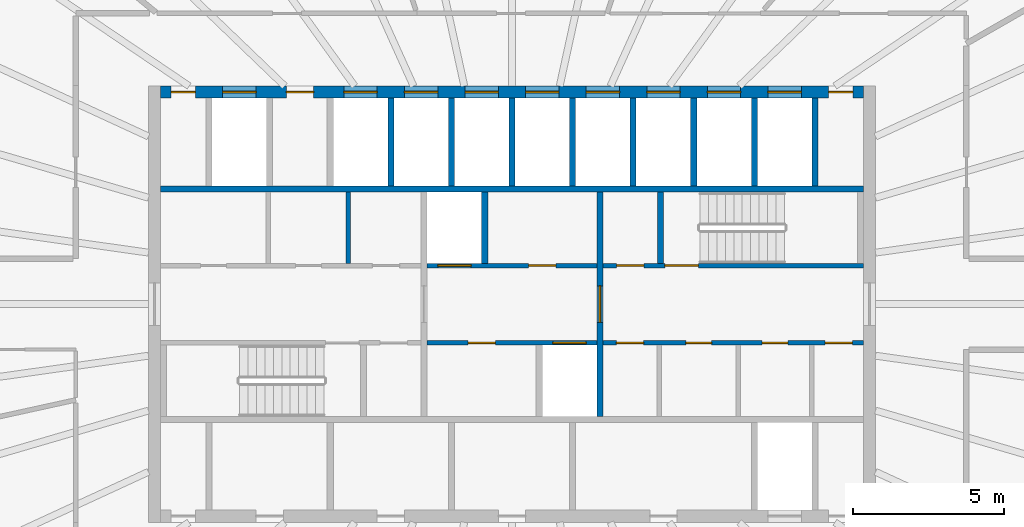
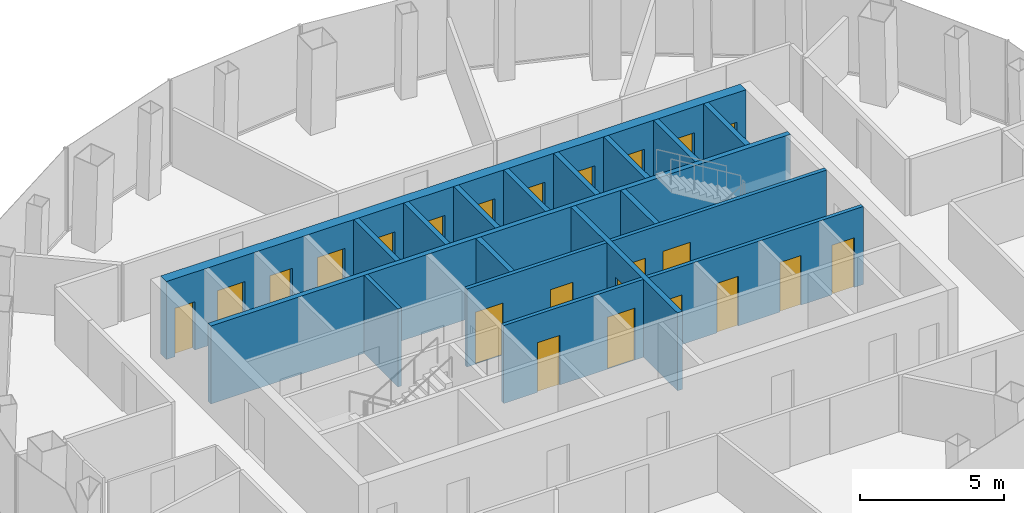
# One storey, part 10 of 12: 23 doors, 18 walls, 23 openings.
"""IFC4 building model written with IfcOpenShell, lengths in metres."""

from ifc_helpers import new_model, si_unit, direction, frame, frame_2d, origin, place, context, subcontext, project, spatial, rectangle, extrude, material, layer, layer_set, type_object, element, fill, save


model = new_model("IFC4")

# Units and contexts
model_context = context("Model", 3, precision=1e-05, world=origin(), true_north=direction((0.0, 1.0)))
body_context = subcontext(model_context, "Body", "Model", "MODEL_VIEW")
ifc_project = project(units=[si_unit("LENGTHUNIT", "METRE"), si_unit("AREAUNIT", "SQUARE_METRE"), si_unit("VOLUMEUNIT", "CUBIC_METRE"), si_unit("PLANEANGLEUNIT", "RADIAN"), si_unit("MASSUNIT", "GRAM", prefix="KILO")], contexts=[model_context])

# Site, building, storey
site_placement = place(None, origin())
site = spatial("IfcSite", under=ifc_project, at=site_placement, CompositionType="ELEMENT")
building_placement = place(site_placement, origin())
building = spatial("IfcBuilding", under=site, at=building_placement, Name="Siaravel Broadcast Tower", CompositionType="ELEMENT")
storey_placement = place(building_placement, frame((0.0, 0.0, 231.89990234375)))
storey = spatial("IfcBuildingStorey", under=building, at=storey_placement, Name="L56", CompositionType="ELEMENT", Elevation=231.89990234375)

# Wall
ifc_material_1 = material(Name="Concrete blockwork", Category="masonry")
ifc_layer_1 = layer(ifc_material_1, 0.14990234375)
ifc_layer_set_1 = layer_set([ifc_layer_1], Name="Concrete blockwork")
wall_type_1 = type_object("IfcWallType", Name="Core partition 150", PredefinedType="PARTITIONING", material=ifc_layer_set_1)
wall_1_placement = place(storey_placement, frame((-5.39892578125, 1.35009765625, 0.0), z_axis=(0.0, 0.0, 1.0), x_axis=(0.0, 1.0, 0.0)))
element("IfcWall", 1, at=wall_1_placement, inside=storey, type_object=wall_type_1, Name="L56 core partition PNW1", PredefinedType="PARTITIONING", context=body_context, shape_type="SweptSolid", body=[
    extrude(rectangle(XDim=2.349853515625, YDim=0.14990234375, at=frame_2d((1.1748046875, 0.0))), origin(), (0.0, 0.0, 1.0), 3.300048828125),
])

# Wall, openings, doors
ifc_material_2 = material(Name="Concrete C60/75", Category="concrete")
ifc_layer_2 = layer(ifc_material_2, 0.39990234375)
ifc_layer_set_2 = layer_set([ifc_layer_2], Name="Concrete C60/75")
wall_type_2 = type_object("IfcWallType", Name="Core wall 400", PredefinedType="SHEAR", material=ifc_layer_set_2)
wall_2_placement = place(storey_placement, frame((-11.60009765625, 7.0, 0.0), z_axis=(0.0, 0.0, 1.0), x_axis=(1.0, 0.0, 0.0)))
wall_2 = element("IfcWall", 2, at=wall_2_placement, inside=storey, type_object=wall_type_2, Name="L56 core wall ON", PredefinedType="SHEAR", context=body_context, shape_type="SweptSolid", body=[
    extrude(rectangle(XDim=23.2001953125, YDim=0.39990234375, at=frame_2d((11.60009765625, 0.0))), origin(), (0.0, 0.0, 1.0), 3.300048828125),
])
opening_1_placement = place(wall_2_placement, frame((2.050048828125, 0.0, 0.0)))
opening_1 = element("IfcOpeningElement", 3, at=opening_1_placement, cuts=wall_2, Name="Opening LD-SV2-L56", PredefinedType="OPENING", context=body_context, shape_type="SweptSolid", body=[
    extrude(rectangle(XDim=1.10009765625, YDim=2.199951171875, at=frame_2d((0.550048828125, 1.10009765625))), frame((0.0, 0.2099609375, 0.0), z_axis=(0.0, -1.0, 0.0), x_axis=(1.0, 0.0, 0.0)), (0.0, 0.0, 1.0), 0.419921875),
])
opening_2_placement = place(wall_2_placement, frame((6.050048828125, 0.0, 0.0)))
opening_2 = element("IfcOpeningElement", 4, at=opening_2_placement, cuts=wall_2, Name="Opening LD-HP1-L56", PredefinedType="OPENING", context=body_context, shape_type="SweptSolid", body=[
    extrude(rectangle(XDim=1.10009765625, YDim=2.199951171875, at=frame_2d((0.550048828125, 1.10009765625))), frame((0.0, 0.2099609375, 0.0), z_axis=(0.0, -1.0, 0.0), x_axis=(1.0, 0.0, 0.0)), (0.0, 0.0, 1.0), 0.419921875),
])
opening_3_placement = place(wall_2_placement, frame((8.050048828125, 0.0, 0.0)))
opening_3 = element("IfcOpeningElement", 5, at=opening_3_placement, cuts=wall_2, Name="Opening LD-HP2-L56", PredefinedType="OPENING", context=body_context, shape_type="SweptSolid", body=[
    extrude(rectangle(XDim=1.10009765625, YDim=2.199951171875, at=frame_2d((0.550048828125, 1.10009765625))), frame((0.0, 0.2099609375, 0.0), z_axis=(0.0, -1.0, 0.0), x_axis=(1.0, 0.0, 0.0)), (0.0, 0.0, 1.0), 0.419921875),
])
opening_4_placement = place(wall_2_placement, frame((10.050048828125, 0.0, 0.0)))
opening_4 = element("IfcOpeningElement", 6, at=opening_4_placement, cuts=wall_2, Name="Opening LD-HP3-L56", PredefinedType="OPENING", context=body_context, shape_type="SweptSolid", body=[
    extrude(rectangle(XDim=1.10009765625, YDim=2.199951171875, at=frame_2d((0.550048828125, 1.10009765625))), frame((0.0, 0.2099609375, 0.0), z_axis=(0.0, -1.0, 0.0), x_axis=(1.0, 0.0, 0.0)), (0.0, 0.0, 1.0), 0.419921875),
])
opening_5_placement = place(wall_2_placement, frame((12.050048828125, 0.0, 0.0)))
opening_5 = element("IfcOpeningElement", 7, at=opening_5_placement, cuts=wall_2, Name="Opening LD-HP4-L56", PredefinedType="OPENING", context=body_context, shape_type="SweptSolid", body=[
    extrude(rectangle(XDim=1.10009765625, YDim=2.199951171875, at=frame_2d((0.550048828125, 1.10009765625))), frame((0.0, 0.2099609375, 0.0), z_axis=(0.0, -1.0, 0.0), x_axis=(1.0, 0.0, 0.0)), (0.0, 0.0, 1.0), 0.419921875),
])
opening_6_placement = place(wall_2_placement, frame((14.050048828125, 0.0, 0.0)))
opening_6 = element("IfcOpeningElement", 8, at=opening_6_placement, cuts=wall_2, Name="Opening LD-HP5-L56", PredefinedType="OPENING", context=body_context, shape_type="SweptSolid", body=[
    extrude(rectangle(XDim=1.10009765625, YDim=2.199951171875, at=frame_2d((0.550048828125, 1.10009765625))), frame((0.0, 0.2099609375, 0.0), z_axis=(0.0, -1.0, 0.0), x_axis=(1.0, 0.0, 0.0)), (0.0, 0.0, 1.0), 0.419921875),
])
opening_7_placement = place(wall_2_placement, frame((16.050048828125, 0.0, 0.0)))
opening_7 = element("IfcOpeningElement", 9, at=opening_7_placement, cuts=wall_2, Name="Opening LD-HP6-L56", PredefinedType="OPENING", context=body_context, shape_type="SweptSolid", body=[
    extrude(rectangle(XDim=1.10009765625, YDim=2.199951171875, at=frame_2d((0.550048828125, 1.10009765625))), frame((0.0, 0.2099609375, 0.0), z_axis=(0.0, -1.0, 0.0), x_axis=(1.0, 0.0, 0.0)), (0.0, 0.0, 1.0), 0.419921875),
])
opening_8_placement = place(wall_2_placement, frame((18.050048828125, 0.0, 0.0)))
opening_8 = element("IfcOpeningElement", 10, at=opening_8_placement, cuts=wall_2, Name="Opening LD-HP7-L56", PredefinedType="OPENING", context=body_context, shape_type="SweptSolid", body=[
    extrude(rectangle(XDim=1.10009765625, YDim=2.199951171875, at=frame_2d((0.550048828125, 1.10009765625))), frame((0.0, 0.2099609375, 0.0), z_axis=(0.0, -1.0, 0.0), x_axis=(1.0, 0.0, 0.0)), (0.0, 0.0, 1.0), 0.419921875),
])
opening_9_placement = place(wall_2_placement, frame((20.050048828125, 0.0, 0.0)))
opening_9 = element("IfcOpeningElement", 11, at=opening_9_placement, cuts=wall_2, Name="Opening LD-HP8-L56", PredefinedType="OPENING", context=body_context, shape_type="SweptSolid", body=[
    extrude(rectangle(XDim=1.10009765625, YDim=2.199951171875, at=frame_2d((0.550048828125, 1.10009765625))), frame((0.0, 0.2099609375, 0.0), z_axis=(0.0, -1.0, 0.0), x_axis=(1.0, 0.0, 0.0)), (0.0, 0.0, 1.0), 0.419921875),
])
opening_10_placement = place(wall_2_placement, frame((4.14990234375, 0.0, 0.0)))
opening_10 = element("IfcOpeningElement", 12, at=opening_10_placement, cuts=wall_2, Name="Opening L56-DFN1", PredefinedType="OPENING", context=body_context, shape_type="SweptSolid", body=[
    extrude(rectangle(XDim=0.89990234375, YDim=2.10009765625, at=frame_2d((0.449951171875, 1.050048828125))), frame((0.0, 0.2099609375, 0.0), z_axis=(0.0, -1.0, 0.0), x_axis=(1.0, 0.0, 0.0)), (0.0, 0.0, 1.0), 0.419921875),
])
opening_11_placement = place(wall_2_placement, frame((0.35009765625, 0.0, 0.0)))
opening_11 = element("IfcOpeningElement", 13, at=opening_11_placement, cuts=wall_2, Name="Opening L56-DRNW", PredefinedType="OPENING", context=body_context, shape_type="SweptSolid", body=[
    extrude(rectangle(XDim=0.800048828125, YDim=2.050048828125, at=frame_2d((0.39990234375, 1.02490234375))), frame((0.0, 0.2099609375, 0.0), z_axis=(0.0, -1.0, 0.0), x_axis=(1.0, 0.0, 0.0)), (0.0, 0.0, 1.0), 0.419921875),
])
opening_12_placement = place(wall_2_placement, frame((22.050048828125, 0.0, 0.0)))
opening_12 = element("IfcOpeningElement", 14, at=opening_12_placement, cuts=wall_2, Name="Opening L56-DRNE", PredefinedType="OPENING", context=body_context, shape_type="SweptSolid", body=[
    extrude(rectangle(XDim=0.800048828125, YDim=2.050048828125, at=frame_2d((0.39990234375, 1.02490234375))), frame((0.0, 0.2099609375, 0.0), z_axis=(0.0, -1.0, 0.0), x_axis=(1.0, 0.0, 0.0)), (0.0, 0.0, 1.0), 0.419921875),
])
ifc_material_3 = material(Name="Timber veneer", Category="wood")
door_type_1 = type_object("IfcDoorType", Name="Core room door 900", OperationType="SINGLE_SWING_LEFT", PredefinedType="DOOR", material=ifc_material_3)
door_1_placement = place(opening_10_placement, origin())
door_1 = element("IfcDoor", 15, at=door_1_placement, inside=storey, type_object=door_type_1, Name="L56 door DFN1", OperationType="SINGLE_SWING_LEFT", OverallHeight=2.10009765625, OverallWidth=0.89990234375, PredefinedType="DOOR", context=body_context, shape_type="SweptSolid", body=[
    extrude(rectangle(XDim=0.89990234375, YDim=2.10009765625, at=frame_2d((0.449951171875, 1.050048828125))), frame((0.0, 0.02490234375, 0.0), z_axis=(0.0, -1.0, 0.0), x_axis=(1.0, 0.0, 0.0)), (0.0, 0.0, 1.0), 0.050048828125),
])
fill(opening_10, door_1)
ifc_material_4 = material(Name="Stainless steel 316L", Category="steel")
door_type_2 = type_object("IfcDoorType", Name="Lift landing door 1100", OperationType="DOUBLE_DOOR_SLIDING", PredefinedType="DOOR", material=ifc_material_4)
door_2_placement = place(opening_2_placement, origin())
door_2 = element("IfcDoor", 16, at=door_2_placement, inside=storey, type_object=door_type_2, Name="Landing door HP1 L56", OperationType="DOUBLE_DOOR_SLIDING", OverallHeight=2.199951171875, OverallWidth=1.10009765625, PredefinedType="DOOR", context=body_context, shape_type="SweptSolid", body=[
    extrude(rectangle(XDim=1.10009765625, YDim=2.199951171875, at=frame_2d((0.550048828125, 1.10009765625))), frame((0.0, 0.02490234375, 0.0), z_axis=(0.0, -1.0, 0.0), x_axis=(1.0, 0.0, 0.0)), (0.0, 0.0, 1.0), 0.050048828125),
])
fill(opening_2, door_2)
door_3_placement = place(opening_3_placement, origin())
door_3 = element("IfcDoor", 17, at=door_3_placement, inside=storey, type_object=door_type_2, Name="Landing door HP2 L56", OperationType="DOUBLE_DOOR_SLIDING", OverallHeight=2.199951171875, OverallWidth=1.10009765625, PredefinedType="DOOR", context=body_context, shape_type="SweptSolid", body=[
    extrude(rectangle(XDim=1.10009765625, YDim=2.199951171875, at=frame_2d((0.550048828125, 1.10009765625))), frame((0.0, 0.02490234375, 0.0), z_axis=(0.0, -1.0, 0.0), x_axis=(1.0, 0.0, 0.0)), (0.0, 0.0, 1.0), 0.050048828125),
])
fill(opening_3, door_3)
door_4_placement = place(opening_4_placement, origin())
door_4 = element("IfcDoor", 18, at=door_4_placement, inside=storey, type_object=door_type_2, Name="Landing door HP3 L56", OperationType="DOUBLE_DOOR_SLIDING", OverallHeight=2.199951171875, OverallWidth=1.10009765625, PredefinedType="DOOR", context=body_context, shape_type="SweptSolid", body=[
    extrude(rectangle(XDim=1.10009765625, YDim=2.199951171875, at=frame_2d((0.550048828125, 1.10009765625))), frame((0.0, 0.02490234375, 0.0), z_axis=(0.0, -1.0, 0.0), x_axis=(1.0, 0.0, 0.0)), (0.0, 0.0, 1.0), 0.050048828125),
])
fill(opening_4, door_4)
door_5_placement = place(opening_5_placement, origin())
door_5 = element("IfcDoor", 19, at=door_5_placement, inside=storey, type_object=door_type_2, Name="Landing door HP4 L56", OperationType="DOUBLE_DOOR_SLIDING", OverallHeight=2.199951171875, OverallWidth=1.10009765625, PredefinedType="DOOR", context=body_context, shape_type="SweptSolid", body=[
    extrude(rectangle(XDim=1.10009765625, YDim=2.199951171875, at=frame_2d((0.550048828125, 1.10009765625))), frame((0.0, 0.02490234375, 0.0), z_axis=(0.0, -1.0, 0.0), x_axis=(1.0, 0.0, 0.0)), (0.0, 0.0, 1.0), 0.050048828125),
])
fill(opening_5, door_5)
door_6_placement = place(opening_6_placement, origin())
door_6 = element("IfcDoor", 20, at=door_6_placement, inside=storey, type_object=door_type_2, Name="Landing door HP5 L56", OperationType="DOUBLE_DOOR_SLIDING", OverallHeight=2.199951171875, OverallWidth=1.10009765625, PredefinedType="DOOR", context=body_context, shape_type="SweptSolid", body=[
    extrude(rectangle(XDim=1.10009765625, YDim=2.199951171875, at=frame_2d((0.550048828125, 1.10009765625))), frame((0.0, 0.02490234375, 0.0), z_axis=(0.0, -1.0, 0.0), x_axis=(1.0, 0.0, 0.0)), (0.0, 0.0, 1.0), 0.050048828125),
])
fill(opening_6, door_6)
door_7_placement = place(opening_7_placement, origin())
door_7 = element("IfcDoor", 21, at=door_7_placement, inside=storey, type_object=door_type_2, Name="Landing door HP6 L56", OperationType="DOUBLE_DOOR_SLIDING", OverallHeight=2.199951171875, OverallWidth=1.10009765625, PredefinedType="DOOR", context=body_context, shape_type="SweptSolid", body=[
    extrude(rectangle(XDim=1.10009765625, YDim=2.199951171875, at=frame_2d((0.550048828125, 1.10009765625))), frame((0.0, 0.02490234375, 0.0), z_axis=(0.0, -1.0, 0.0), x_axis=(1.0, 0.0, 0.0)), (0.0, 0.0, 1.0), 0.050048828125),
])
fill(opening_7, door_7)
door_8_placement = place(opening_8_placement, origin())
door_8 = element("IfcDoor", 22, at=door_8_placement, inside=storey, type_object=door_type_2, Name="Landing door HP7 L56", OperationType="DOUBLE_DOOR_SLIDING", OverallHeight=2.199951171875, OverallWidth=1.10009765625, PredefinedType="DOOR", context=body_context, shape_type="SweptSolid", body=[
    extrude(rectangle(XDim=1.10009765625, YDim=2.199951171875, at=frame_2d((0.550048828125, 1.10009765625))), frame((0.0, 0.02490234375, 0.0), z_axis=(0.0, -1.0, 0.0), x_axis=(1.0, 0.0, 0.0)), (0.0, 0.0, 1.0), 0.050048828125),
])
fill(opening_8, door_8)
door_9_placement = place(opening_9_placement, origin())
door_9 = element("IfcDoor", 23, at=door_9_placement, inside=storey, type_object=door_type_2, Name="Landing door HP8 L56", OperationType="DOUBLE_DOOR_SLIDING", OverallHeight=2.199951171875, OverallWidth=1.10009765625, PredefinedType="DOOR", context=body_context, shape_type="SweptSolid", body=[
    extrude(rectangle(XDim=1.10009765625, YDim=2.199951171875, at=frame_2d((0.550048828125, 1.10009765625))), frame((0.0, 0.02490234375, 0.0), z_axis=(0.0, -1.0, 0.0), x_axis=(1.0, 0.0, 0.0)), (0.0, 0.0, 1.0), 0.050048828125),
])
fill(opening_9, door_9)
ifc_material_5 = material(Name="Steel", Category="steel")
door_type_3 = type_object("IfcDoorType", Name="Riser door 800", OperationType="SINGLE_SWING_LEFT", PredefinedType="DOOR", material=ifc_material_5)
door_10_placement = place(opening_11_placement, origin())
door_10 = element("IfcDoor", 24, at=door_10_placement, inside=storey, type_object=door_type_3, Name="L56 door DRNW", OperationType="SINGLE_SWING_LEFT", OverallHeight=2.050048828125, OverallWidth=0.800048828125, PredefinedType="DOOR", context=body_context, shape_type="SweptSolid", body=[
    extrude(rectangle(XDim=0.800048828125, YDim=2.050048828125, at=frame_2d((0.39990234375, 1.02490234375))), frame((0.0, 0.02490234375, 0.0), z_axis=(0.0, -1.0, 0.0), x_axis=(1.0, 0.0, 0.0)), (0.0, 0.0, 1.0), 0.050048828125),
])
fill(opening_11, door_10)
door_11_placement = place(opening_12_placement, origin())
door_11 = element("IfcDoor", 25, at=door_11_placement, inside=storey, type_object=door_type_3, Name="L56 door DRNE", OperationType="SINGLE_SWING_LEFT", OverallHeight=2.050048828125, OverallWidth=0.800048828125, PredefinedType="DOOR", context=body_context, shape_type="SweptSolid", body=[
    extrude(rectangle(XDim=0.800048828125, YDim=2.050048828125, at=frame_2d((0.39990234375, 1.02490234375))), frame((0.0, 0.02490234375, 0.0), z_axis=(0.0, -1.0, 0.0), x_axis=(1.0, 0.0, 0.0)), (0.0, 0.0, 1.0), 0.050048828125),
])
fill(opening_12, door_11)
door_type_4 = type_object("IfcDoorType", Name="Service lift landing door 1100", OperationType="DOUBLE_DOOR_SLIDING", PredefinedType="DOOR", material=ifc_material_4)
door_12_placement = place(opening_1_placement, origin())
door_12 = element("IfcDoor", 26, at=door_12_placement, inside=storey, type_object=door_type_4, Name="Landing door SV2 L56", OperationType="DOUBLE_DOOR_SLIDING", OverallHeight=2.199951171875, OverallWidth=1.10009765625, PredefinedType="DOOR", context=body_context, shape_type="SweptSolid", body=[
    extrude(rectangle(XDim=1.10009765625, YDim=2.199951171875, at=frame_2d((0.550048828125, 1.10009765625))), frame((0.0, 0.02490234375, 0.0), z_axis=(0.0, -1.0, 0.0), x_axis=(1.0, 0.0, 0.0)), (0.0, 0.0, 1.0), 0.050048828125),
])
fill(opening_1, door_12)

ifc_material_6 = material(Name="Gypsum board partition", Category="gypsum")
ifc_layer_3 = layer(ifc_material_6, 0.14990234375)
ifc_layer_set_3 = layer_set([ifc_layer_3], Name="Gypsum board partition")
wall_type_3 = type_object("IfcWallType", Name="Corridor wall 150", PredefinedType="PARTITIONING", material=ifc_layer_set_3)
wall_3_placement = place(storey_placement, frame((3.0, -1.27490234375, 0.0), z_axis=(0.0, 0.0, 1.0), x_axis=(1.0, 0.0, 0.0)))
wall_3 = element("IfcWall", 27, at=wall_3_placement, inside=storey, type_object=wall_type_3, Name="L56 core partition CSE", PredefinedType="PARTITIONING", context=body_context, shape_type="SweptSolid", body=[
    extrude(rectangle(XDim=8.60009765625, YDim=0.14990234375, at=frame_2d((4.300048828125, 0.0))), origin(), (0.0, 0.0, 1.0), 3.300048828125),
])
opening_13_placement = place(wall_3_placement, frame((0.446533203125, 0.0, 0.0)))
opening_13 = element("IfcOpeningElement", 28, at=opening_13_placement, cuts=wall_3, Name="Opening L56-DSE0", PredefinedType="OPENING", context=body_context, shape_type="SweptSolid", body=[
    extrude(rectangle(XDim=0.89990234375, YDim=2.10009765625, at=frame_2d((0.449951171875, 1.050048828125))), frame((0.0, 0.0849609375, 0.0), z_axis=(0.0, -1.0, 0.0), x_axis=(1.0, 0.0, 0.0)), (0.0, 0.0, 1.0), 0.169921875),
])
opening_14_placement = place(wall_3_placement, frame((2.740478515625, 0.0, 0.0)))
opening_14 = element("IfcOpeningElement", 29, at=opening_14_placement, cuts=wall_3, Name="Opening L56-DSE1", PredefinedType="OPENING", context=body_context, shape_type="SweptSolid", body=[
    extrude(rectangle(XDim=0.85009765625, YDim=2.10009765625, at=frame_2d((0.425048828125, 1.050048828125))), frame((0.0, 0.0849609375, 0.0), z_axis=(0.0, -1.0, 0.0), x_axis=(1.0, 0.0, 0.0)), (0.0, 0.0, 1.0), 0.169921875),
])
opening_15_placement = place(wall_3_placement, frame((5.25390625, 0.0, 0.0)))
opening_15 = element("IfcOpeningElement", 30, at=opening_15_placement, cuts=wall_3, Name="Opening L56-DSE2", PredefinedType="OPENING", context=body_context, shape_type="SweptSolid", body=[
    extrude(rectangle(XDim=0.85009765625, YDim=2.10009765625, at=frame_2d((0.425048828125, 1.050048828125))), frame((0.0, 0.0849609375, 0.0), z_axis=(0.0, -1.0, 0.0), x_axis=(1.0, 0.0, 0.0)), (0.0, 0.0, 1.0), 0.169921875),
])
opening_16_placement = place(wall_3_placement, frame((7.3349609375, 0.0, 0.0)))
opening_16 = element("IfcOpeningElement", 31, at=opening_16_placement, cuts=wall_3, Name="Opening L56-DSE3", PredefinedType="OPENING", context=body_context, shape_type="SweptSolid", body=[
    extrude(rectangle(XDim=0.89990234375, YDim=2.10009765625, at=frame_2d((0.449951171875, 1.050048828125))), frame((0.0, 0.0849609375, 0.0), z_axis=(0.0, -1.0, 0.0), x_axis=(1.0, 0.0, 0.0)), (0.0, 0.0, 1.0), 0.169921875),
])
door_13_placement = place(opening_13_placement, origin())
door_13 = element("IfcDoor", 32, at=door_13_placement, inside=storey, type_object=door_type_1, Name="L56 door DSE0", OperationType="SINGLE_SWING_LEFT", OverallHeight=2.10009765625, OverallWidth=0.89990234375, PredefinedType="DOOR", context=body_context, shape_type="SweptSolid", body=[
    extrude(rectangle(XDim=0.89990234375, YDim=2.10009765625, at=frame_2d((0.449951171875, 1.050048828125))), frame((0.0, 0.02490234375, 0.0), z_axis=(0.0, -1.0, 0.0), x_axis=(1.0, 0.0, 0.0)), (0.0, 0.0, 1.0), 0.050048828125),
])
fill(opening_13, door_13)
door_14_placement = place(opening_16_placement, origin())
door_14 = element("IfcDoor", 33, at=door_14_placement, inside=storey, type_object=door_type_1, Name="L56 door DSE3", OperationType="SINGLE_SWING_LEFT", OverallHeight=2.10009765625, OverallWidth=0.89990234375, PredefinedType="DOOR", context=body_context, shape_type="SweptSolid", body=[
    extrude(rectangle(XDim=0.89990234375, YDim=2.10009765625, at=frame_2d((0.449951171875, 1.050048828125))), frame((0.0, 0.02490234375, 0.0), z_axis=(0.0, -1.0, 0.0), x_axis=(1.0, 0.0, 0.0)), (0.0, 0.0, 1.0), 0.050048828125),
])
fill(opening_16, door_14)
door_type_5 = type_object("IfcDoorType", Name="Core toilet door 850", OperationType="SINGLE_SWING_LEFT", PredefinedType="DOOR", material=ifc_material_3)
door_15_placement = place(opening_14_placement, origin())
door_15 = element("IfcDoor", 34, at=door_15_placement, inside=storey, type_object=door_type_5, Name="L56 door DSE1", OperationType="SINGLE_SWING_LEFT", OverallHeight=2.10009765625, OverallWidth=0.85009765625, PredefinedType="DOOR", context=body_context, shape_type="SweptSolid", body=[
    extrude(rectangle(XDim=0.85009765625, YDim=2.10009765625, at=frame_2d((0.425048828125, 1.050048828125))), frame((0.0, 0.02490234375, 0.0), z_axis=(0.0, -1.0, 0.0), x_axis=(1.0, 0.0, 0.0)), (0.0, 0.0, 1.0), 0.050048828125),
])
fill(opening_14, door_15)
door_16_placement = place(opening_15_placement, origin())
door_16 = element("IfcDoor", 35, at=door_16_placement, inside=storey, type_object=door_type_5, Name="L56 door DSE2", OperationType="SINGLE_SWING_LEFT", OverallHeight=2.10009765625, OverallWidth=0.85009765625, PredefinedType="DOOR", context=body_context, shape_type="SweptSolid", body=[
    extrude(rectangle(XDim=0.85009765625, YDim=2.10009765625, at=frame_2d((0.425048828125, 1.050048828125))), frame((0.0, 0.02490234375, 0.0), z_axis=(0.0, -1.0, 0.0), x_axis=(1.0, 0.0, 0.0)), (0.0, 0.0, 1.0), 0.050048828125),
])
fill(opening_15, door_16)

ifc_layer_4 = layer(ifc_material_2, 0.14990234375)
ifc_layer_set_4 = layer_set([ifc_layer_4], Name="Concrete C60/75")
wall_type_4 = type_object("IfcWallType", Name="Shaft wall 150", PredefinedType="SHEAR", material=ifc_layer_set_4)
wall_4_placement = place(storey_placement, frame((-2.800048828125, -1.27490234375, 0.0), z_axis=(0.0, 0.0, 1.0), x_axis=(1.0, 0.0, 0.0)))
wall_4 = element("IfcWall", 36, at=wall_4_placement, inside=storey, type_object=wall_type_4, Name="L56 core wall CSM", PredefinedType="SHEAR", context=body_context, shape_type="SweptSolid", body=[
    extrude(rectangle(XDim=5.60009765625, YDim=0.14990234375, at=frame_2d((2.800048828125, 0.0))), origin(), (0.0, 0.0, 1.0), 3.300048828125),
])
opening_17_placement = place(wall_4_placement, frame((4.14990234375, 0.0, 0.0)))
opening_17 = element("IfcOpeningElement", 37, at=opening_17_placement, cuts=wall_4, Name="Opening LD-FL2-L56", PredefinedType="OPENING", context=body_context, shape_type="SweptSolid", body=[
    extrude(rectangle(XDim=1.10009765625, YDim=2.199951171875, at=frame_2d((0.550048828125, 1.10009765625))), frame((0.0, 0.0849609375, 0.0), z_axis=(0.0, -1.0, 0.0), x_axis=(1.0, 0.0, 0.0)), (0.0, 0.0, 1.0), 0.169921875),
])
opening_18_placement = place(wall_4_placement, frame((1.35009765625, 0.0, 0.0)))
opening_18 = element("IfcOpeningElement", 38, at=opening_18_placement, cuts=wall_4, Name="Opening L56-DSM0", PredefinedType="OPENING", context=body_context, shape_type="SweptSolid", body=[
    extrude(rectangle(XDim=0.89990234375, YDim=2.10009765625, at=frame_2d((0.449951171875, 1.050048828125))), frame((0.0, 0.0849609375, 0.0), z_axis=(0.0, -1.0, 0.0), x_axis=(1.0, 0.0, 0.0)), (0.0, 0.0, 1.0), 0.169921875),
])
door_17_placement = place(opening_18_placement, origin())
door_17 = element("IfcDoor", 39, at=door_17_placement, inside=storey, type_object=door_type_1, Name="L56 door DSM0", OperationType="SINGLE_SWING_LEFT", OverallHeight=2.10009765625, OverallWidth=0.89990234375, PredefinedType="DOOR", context=body_context, shape_type="SweptSolid", body=[
    extrude(rectangle(XDim=0.89990234375, YDim=2.10009765625, at=frame_2d((0.449951171875, 1.050048828125))), frame((0.0, 0.02490234375, 0.0), z_axis=(0.0, -1.0, 0.0), x_axis=(1.0, 0.0, 0.0)), (0.0, 0.0, 1.0), 0.050048828125),
])
fill(opening_18, door_17)
door_type_6 = type_object("IfcDoorType", Name="Firefighting lift landing door 1100", OperationType="DOUBLE_DOOR_SLIDING", PredefinedType="DOOR", material=ifc_material_4)
door_18_placement = place(opening_17_placement, origin())
door_18 = element("IfcDoor", 40, at=door_18_placement, inside=storey, type_object=door_type_6, Name="Landing door FL2 L56", OperationType="DOUBLE_DOOR_SLIDING", OverallHeight=2.199951171875, OverallWidth=1.10009765625, PredefinedType="DOOR", context=body_context, shape_type="SweptSolid", body=[
    extrude(rectangle(XDim=1.10009765625, YDim=2.199951171875, at=frame_2d((0.550048828125, 1.10009765625))), frame((0.0, 0.02490234375, 0.0), z_axis=(0.0, -1.0, 0.0), x_axis=(1.0, 0.0, 0.0)), (0.0, 0.0, 1.0), 0.050048828125),
])
fill(opening_17, door_18)

wall_5_placement = place(storey_placement, frame((-2.800048828125, 1.27490234375, 0.0), z_axis=(0.0, 0.0, 1.0), x_axis=(1.0, 0.0, 0.0)))
wall_5 = element("IfcWall", 41, at=wall_5_placement, inside=storey, type_object=wall_type_4, Name="L56 core wall CNM", PredefinedType="SHEAR", context=body_context, shape_type="SweptSolid", body=[
    extrude(rectangle(XDim=5.60009765625, YDim=0.14990234375, at=frame_2d((2.800048828125, 0.0))), origin(), (0.0, 0.0, 1.0), 3.300048828125),
])
opening_19_placement = place(wall_5_placement, frame((0.35009765625, 0.0, 0.0)))
opening_19 = element("IfcOpeningElement", 42, at=opening_19_placement, cuts=wall_5, Name="Opening LD-FL1-L56", PredefinedType="OPENING", context=body_context, shape_type="SweptSolid", body=[
    extrude(rectangle(XDim=1.10009765625, YDim=2.199951171875, at=frame_2d((0.550048828125, 1.10009765625))), frame((0.0, 0.0849609375, 0.0), z_axis=(0.0, -1.0, 0.0), x_axis=(1.0, 0.0, 0.0)), (0.0, 0.0, 1.0), 0.169921875),
])
opening_20_placement = place(wall_5_placement, frame((3.35009765625, 0.0, 0.0)))
opening_20 = element("IfcOpeningElement", 43, at=opening_20_placement, cuts=wall_5, Name="Opening L56-DNM0", PredefinedType="OPENING", context=body_context, shape_type="SweptSolid", body=[
    extrude(rectangle(XDim=0.89990234375, YDim=2.10009765625, at=frame_2d((0.449951171875, 1.050048828125))), frame((0.0, 0.0849609375, 0.0), z_axis=(0.0, -1.0, 0.0), x_axis=(1.0, 0.0, 0.0)), (0.0, 0.0, 1.0), 0.169921875),
])
door_19_placement = place(opening_20_placement, origin())
door_19 = element("IfcDoor", 44, at=door_19_placement, inside=storey, type_object=door_type_1, Name="L56 door DNM0", OperationType="SINGLE_SWING_LEFT", OverallHeight=2.10009765625, OverallWidth=0.89990234375, PredefinedType="DOOR", context=body_context, shape_type="SweptSolid", body=[
    extrude(rectangle(XDim=0.89990234375, YDim=2.10009765625, at=frame_2d((0.449951171875, 1.050048828125))), frame((0.0, 0.02490234375, 0.0), z_axis=(0.0, -1.0, 0.0), x_axis=(1.0, 0.0, 0.0)), (0.0, 0.0, 1.0), 0.050048828125),
])
fill(opening_20, door_19)
door_20_placement = place(opening_19_placement, origin())
door_20 = element("IfcDoor", 45, at=door_20_placement, inside=storey, type_object=door_type_6, Name="Landing door FL1 L56", OperationType="DOUBLE_DOOR_SLIDING", OverallHeight=2.199951171875, OverallWidth=1.10009765625, PredefinedType="DOOR", context=body_context, shape_type="SweptSolid", body=[
    extrude(rectangle(XDim=1.10009765625, YDim=2.199951171875, at=frame_2d((0.550048828125, 1.10009765625))), frame((0.0, 0.02490234375, 0.0), z_axis=(0.0, -1.0, 0.0), x_axis=(1.0, 0.0, 0.0)), (0.0, 0.0, 1.0), 0.050048828125),
])
fill(opening_19, door_20)

wall_6_placement = place(storey_placement, frame((3.0, 1.27490234375, 0.0), z_axis=(0.0, 0.0, 1.0), x_axis=(1.0, 0.0, 0.0)))
wall_6 = element("IfcWall", 46, at=wall_6_placement, inside=storey, type_object=wall_type_4, Name="L56 core wall CNE", PredefinedType="SHEAR", context=body_context, shape_type="SweptSolid", body=[
    extrude(rectangle(XDim=8.60009765625, YDim=0.14990234375, at=frame_2d((4.300048828125, 0.0))), origin(), (0.0, 0.0, 1.0), 3.300048828125),
])
opening_21_placement = place(wall_6_placement, frame((2.050048828125, 0.0, 0.0)))
opening_21 = element("IfcOpeningElement", 47, at=opening_21_placement, cuts=wall_6, Name="Opening L56-DS-2", PredefinedType="OPENING", context=body_context, shape_type="SweptSolid", body=[
    extrude(rectangle(XDim=1.10009765625, YDim=2.14990234375, at=frame_2d((0.550048828125, 1.074951171875))), frame((0.0, 0.0849609375, 0.0), z_axis=(0.0, -1.0, 0.0), x_axis=(1.0, 0.0, 0.0)), (0.0, 0.0, 1.0), 0.169921875),
])
opening_22_placement = place(wall_6_placement, frame((0.449951171875, 0.0, 0.0)))
opening_22 = element("IfcOpeningElement", 48, at=opening_22_placement, cuts=wall_6, Name="Opening L56-DNE0", PredefinedType="OPENING", context=body_context, shape_type="SweptSolid", body=[
    extrude(rectangle(XDim=0.89990234375, YDim=2.10009765625, at=frame_2d((0.449951171875, 1.050048828125))), frame((0.0, 0.0849609375, 0.0), z_axis=(0.0, -1.0, 0.0), x_axis=(1.0, 0.0, 0.0)), (0.0, 0.0, 1.0), 0.169921875),
])
door_21_placement = place(opening_22_placement, origin())
door_21 = element("IfcDoor", 49, at=door_21_placement, inside=storey, type_object=door_type_1, Name="L56 door DNE0", OperationType="SINGLE_SWING_LEFT", OverallHeight=2.10009765625, OverallWidth=0.89990234375, PredefinedType="DOOR", context=body_context, shape_type="SweptSolid", body=[
    extrude(rectangle(XDim=0.89990234375, YDim=2.10009765625, at=frame_2d((0.449951171875, 1.050048828125))), frame((0.0, 0.02490234375, 0.0), z_axis=(0.0, -1.0, 0.0), x_axis=(1.0, 0.0, 0.0)), (0.0, 0.0, 1.0), 0.050048828125),
])
fill(opening_22, door_21)
door_type_7 = type_object("IfcDoorType", Name="Stair door 1100", OperationType="SINGLE_SWING_LEFT", PredefinedType="DOOR", material=ifc_material_5)
door_22_placement = place(opening_21_placement, origin())
door_22 = element("IfcDoor", 50, at=door_22_placement, inside=storey, type_object=door_type_7, Name="L56 door DS-2", OperationType="SINGLE_SWING_LEFT", OverallHeight=2.14990234375, OverallWidth=1.10009765625, PredefinedType="DOOR", context=body_context, shape_type="SweptSolid", body=[
    extrude(rectangle(XDim=1.10009765625, YDim=2.14990234375, at=frame_2d((0.550048828125, 1.074951171875))), frame((0.0, 0.02490234375, 0.0), z_axis=(0.0, -1.0, 0.0), x_axis=(1.0, 0.0, 0.0)), (0.0, 0.0, 1.0), 0.050048828125),
])
fill(opening_21, door_22)

# Walls
ifc_layer_5 = layer(ifc_material_2, 0.199951171875)
ifc_layer_set_5 = layer_set([ifc_layer_5], Name="Concrete C60/75")
wall_type_5 = type_object("IfcWallType", Name="Shaft wall 200", PredefinedType="SHEAR", material=ifc_layer_set_5)
wall_7_placement = place(storey_placement, frame((-11.60009765625, 3.800048828125, 0.0), z_axis=(0.0, 0.0, 1.0), x_axis=(1.0, 0.0, 0.0)))
element("IfcWall", 51, at=wall_7_placement, inside=storey, type_object=wall_type_5, Name="L56 core wall BN", PredefinedType="SHEAR", context=body_context, shape_type="SweptSolid", body=[
    extrude(rectangle(XDim=23.2001953125, YDim=0.199951171875, at=frame_2d((11.60009765625, 0.0))), origin(), (0.0, 0.0, 1.0), 3.300048828125),
])
for number, where, z_axis, x_axis, name in (
    (52, (-4.0, 3.89990234375, 0.0), (0.0, 0.0, 1.0), (0.0, 1.0, 0.0), "L56 core wall SWN3"),
    (53, (-2.0, 3.89990234375, 0.0), (0.0, 0.0, 1.0), (0.0, 1.0, 0.0), "L56 core wall SWN4"),
    (54, (0.0, 3.89990234375, 0.0), (0.0, 0.0, 1.0), (0.0, 1.0, 0.0), "L56 core wall SWN5"),
    (55, (2.0, 3.89990234375, 0.0), (0.0, 0.0, 1.0), (0.0, 1.0, 0.0), "L56 core wall SWN6"),
    (56, (4.0, 3.89990234375, 0.0), (0.0, 0.0, 1.0), (0.0, 1.0, 0.0), "L56 core wall SWN7"),
    (57, (6.0, 3.89990234375, 0.0), (0.0, 0.0, 1.0), (0.0, 1.0, 0.0), "L56 core wall SWN8"),
    (58, (8.0, 3.89990234375, 0.0), (0.0, 0.0, 1.0), (0.0, 1.0, 0.0), "L56 core wall SWN9"),
    (59, (10.0, 3.89990234375, 0.0), (0.0, 0.0, 1.0), (0.0, 1.0, 0.0), "L56 core wall SWN10"),
):
    element("IfcWall", number, at=place(storey_placement, frame(where, z_axis=z_axis, x_axis=x_axis)), inside=storey, type_object=wall_type_5, Name=name, PredefinedType="SHEAR", context=body_context, shape_type="SweptSolid", body=[
        extrude(rectangle(XDim=2.900146484375, YDim=0.199951171875, at=frame_2d((1.4501953125, 0.0))), origin(), (0.0, 0.0, 1.0), 3.300048828125),
    ])

# Wall, opening, door
wall_8_placement = place(storey_placement, frame((2.89990234375, -3.699951171875, 0.0), z_axis=(0.0, 0.0, 1.0), x_axis=(0.0, 1.0, 0.0)))
wall_8 = element("IfcWall", 60, at=wall_8_placement, inside=storey, type_object=wall_type_5, Name="L56 core wall LE", PredefinedType="SHEAR", context=body_context, shape_type="SweptSolid", body=[
    extrude(rectangle(XDim=7.39990234375, YDim=0.199951171875, at=frame_2d((3.699951171875, 0.0))), origin(), (0.0, 0.0, 1.0), 3.300048828125),
])
opening_23_placement = place(wall_8_placement, frame((3.10009765625, 0.0, 0.0)))
opening_23 = element("IfcOpeningElement", 61, at=opening_23_placement, cuts=wall_8, Name="Opening L56-DL-E", PredefinedType="OPENING", context=body_context, shape_type="SweptSolid", body=[
    extrude(rectangle(XDim=1.199951171875, YDim=2.199951171875, at=frame_2d((0.60009765625, 1.10009765625))), frame((0.0, 0.10986328125, 0.0), z_axis=(0.0, -1.0, 0.0), x_axis=(1.0, 0.0, 0.0)), (0.0, 0.0, 1.0), 0.219970703125),
])
door_type_8 = type_object("IfcDoorType", Name="Firefighting lobby door 1200", OperationType="SINGLE_SWING_LEFT", PredefinedType="DOOR", material=ifc_material_5)
door_23_placement = place(opening_23_placement, origin())
door_23 = element("IfcDoor", 62, at=door_23_placement, inside=storey, type_object=door_type_8, Name="L56 door DL-E", OperationType="SINGLE_SWING_LEFT", OverallHeight=2.199951171875, OverallWidth=1.199951171875, PredefinedType="DOOR", context=body_context, shape_type="SweptSolid", body=[
    extrude(rectangle(XDim=1.199951171875, YDim=2.199951171875, at=frame_2d((0.60009765625, 1.10009765625))), frame((0.0, 0.02490234375, 0.0), z_axis=(0.0, -1.0, 0.0), x_axis=(1.0, 0.0, 0.0)), (0.0, 0.0, 1.0), 0.050048828125),
])
fill(opening_23, door_23)

# Walls
for number, where, z_axis, x_axis, name in (
    (63, (-0.89990234375, 1.35009765625, 0.0), (0.0, 0.0, 1.0), (0.0, 1.0, 0.0), "L56 core wall FF1E"),
    (64, (4.89990234375, 1.35009765625, 0.0), (0.0, 0.0, 1.0), (0.0, 1.0, 0.0), "L56 core wall ST2W"),
):
    element("IfcWall", number, at=place(storey_placement, frame(where, z_axis=z_axis, x_axis=x_axis)), inside=storey, type_object=wall_type_5, Name=name, PredefinedType="SHEAR", context=body_context, shape_type="SweptSolid", body=[
        extrude(rectangle(XDim=2.349853515625, YDim=0.199951171875, at=frame_2d((1.1748046875, 0.0))), origin(), (0.0, 0.0, 1.0), 3.300048828125),
    ])

save(model, "model.ifc")
